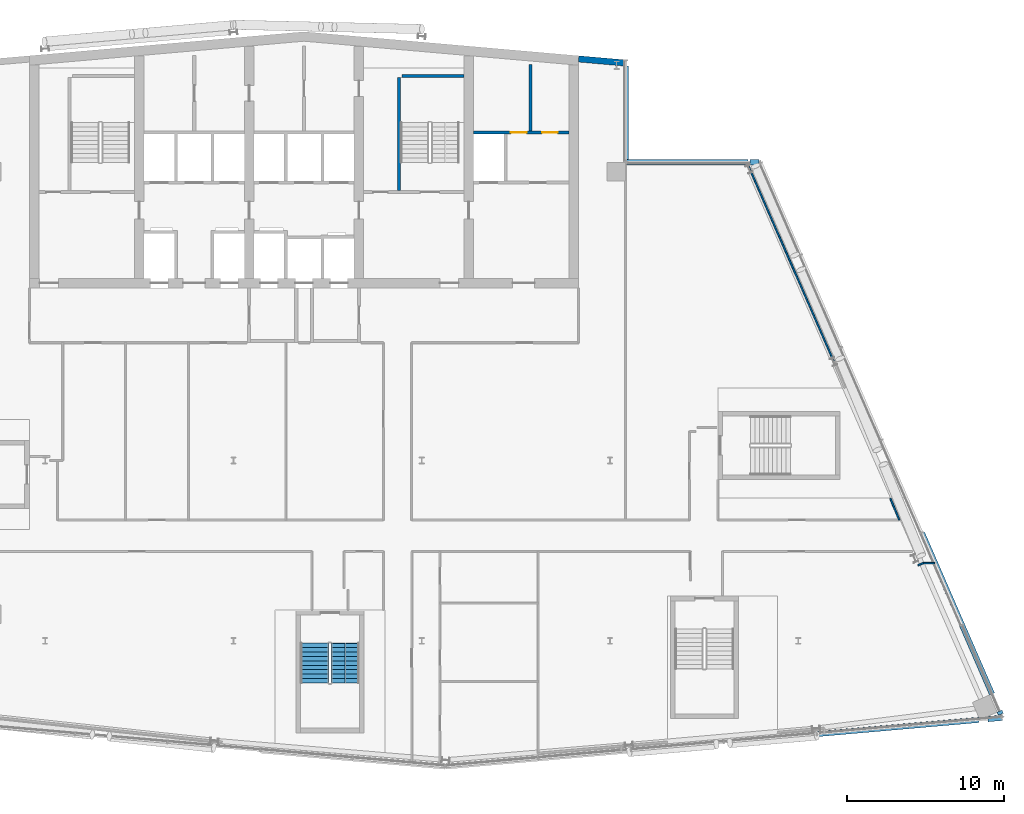
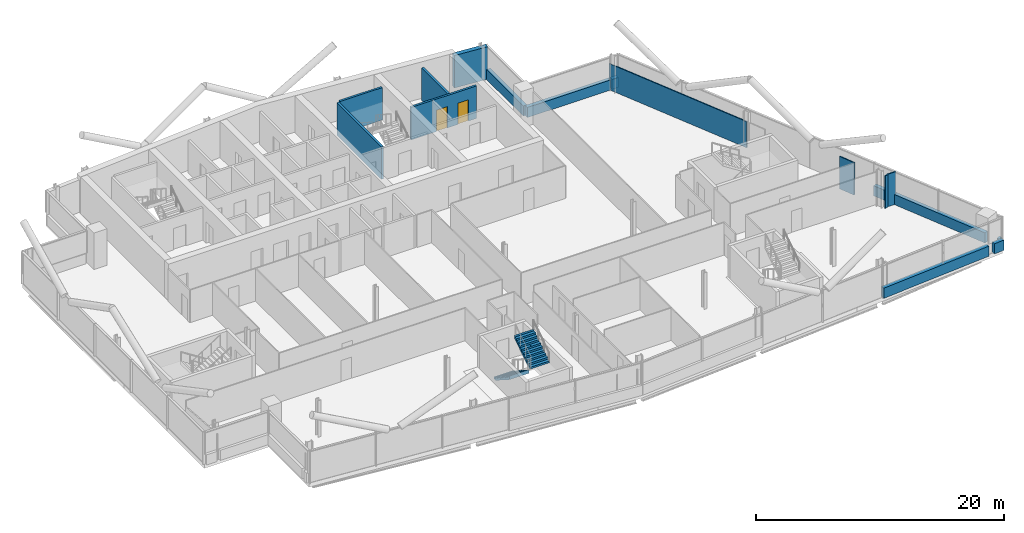
# One storey, part 18 of 26: 16 walls, 2 doors, 2 stair flights, 2 openings, 1 element without a shape of its own.
"""IFC4 building model written with IfcOpenShell, lengths in metres."""

from ifc_helpers import new_model, si_unit, direction, frame, frame_2d, origin, place, context, subcontext, project, spatial, polyline, rectangle, outline, extrude, material, layer, layer_set, type_object, element, fill, aggregate, save


model = new_model("IFC4")

# Units and contexts
model_context = context("Model", 3, precision=1e-05, world=origin(), true_north=direction((0.0, 1.0)))
body_context = subcontext(model_context, "Body", "Model", "MODEL_VIEW")
ifc_project = project(units=[si_unit("LENGTHUNIT", "METRE"), si_unit("AREAUNIT", "SQUARE_METRE"), si_unit("VOLUMEUNIT", "CUBIC_METRE"), si_unit("PLANEANGLEUNIT", "RADIAN"), si_unit("MASSUNIT", "GRAM", prefix="KILO")], contexts=[model_context])

# Site, building, storey
site_placement = place(None, origin())
site = spatial("IfcSite", under=ifc_project, at=site_placement, CompositionType="ELEMENT")
building_placement = place(site_placement, origin())
building = spatial("IfcBuilding", under=site, at=building_placement, Name="Wharfspan Tower", CompositionType="ELEMENT")
storey_placement = place(building_placement, frame((0.0, 0.0, 214.300049)))
storey = spatial("IfcBuildingStorey", under=building, at=storey_placement, Name="L53", CompositionType="ELEMENT", Elevation=214.300049)

# Walls
ifc_material_1 = material(Name="Gypsum board on steel studs", Category="steel")
ifc_layer_1 = layer(ifc_material_1, 0.100098)
ifc_layer_set_1 = layer_set([ifc_layer_1], Name="Gypsum board on steel studs")
wall_type_1 = type_object("IfcWallType", Name="Compartment wall 100 EI 60", PredefinedType="PARTITIONING", material=ifc_layer_set_1)
wall_1_placement = place(storey_placement, frame((78.439941, 19.199951, 0.0), z_axis=(0.0, 0.0, 1.0), x_axis=(-0.382605, 0.923907, 0.0)))
element("IfcWall", 1, at=wall_1_placement, inside=storey, type_object=wall_type_1, Name="Partition L53.w049", PredefinedType="PARTITIONING", context=body_context, shape_type="SweptSolid", body=[
    extrude(rectangle(XDim=1.493896, YDim=0.100098, at=frame_2d((0.74707, 0.0))), origin(), (0.0, 0.0, 1.0), 3.199951),
])
ifc_material_2 = material(Name="Calcium silicate masonry", Category="masonry")
ifc_layer_2 = layer(ifc_material_2, 0.199951)
ifc_layer_set_2 = layer_set([ifc_layer_2], Name="Calcium silicate masonry")
wall_type_2 = type_object("IfcWallType", Name="Core room wall 200", PredefinedType="PARTITIONING", material=ifc_layer_set_2)
wall_2_placement = place(storey_placement, frame((54.93335, 44.0, 0.0), z_axis=(0.0, 0.0, 1.0), x_axis=(0.0, 1.0, 0.0)))
element("IfcWall", 2, at=wall_2_placement, inside=storey, type_object=wall_type_2, Name="sw:L53:RP6.1", PredefinedType="PARTITIONING", context=body_context, shape_type="SweptSolid", body=[
    extrude(rectangle(XDim=4.217529, YDim=0.199951, at=frame_2d((2.108887, 0.0))), origin(), (0.0, 0.0, 1.0), 3.199951),
])

# Wall, openings, doors
ifc_material_3 = material(Name="Concrete C30/37", Category="concrete")
ifc_layer_3 = layer(ifc_material_3, 0.199951)
ifc_layer_set_3 = layer_set([ifc_layer_3], Name="Concrete C30/37")
wall_type_3 = type_object("IfcWallType", Name="Lift shaft wall 200", PredefinedType="PARTITIONING", material=ifc_layer_set_3)
wall_3_placement = place(storey_placement, frame((51.300049, 43.899902, 0.0), z_axis=(0.0, 0.0, 1.0), x_axis=(1.0, 0.0, 0.0)))
wall_3 = element("IfcWall", 3, at=wall_3_placement, inside=storey, type_object=wall_type_3, Name="sw:L53:RR6", PredefinedType="PARTITIONING", context=body_context, shape_type="SweptSolid", body=[
    extrude(rectangle(XDim=6.099854, YDim=0.199951, at=frame_2d((3.049805, 0.0))), origin(), (0.0, 0.0, 1.0), 3.199951),
])
opening_1_placement = place(wall_3_placement, frame((2.383301, 0.0, 0.0)))
opening_1 = element("IfcOpeningElement", 4, at=opening_1_placement, cuts=wall_3, Name="Opening CD53.6S2", PredefinedType="OPENING", context=body_context, shape_type="SweptSolid", body=[
    extrude(rectangle(XDim=1.0, YDim=2.100098, at=frame_2d((0.5, 1.050049))), frame((0.0, 0.109863, 0.0), z_axis=(0.0, -1.0, 0.0), x_axis=(1.0, 0.0, 0.0)), (0.0, 0.0, 1.0), 0.219971),
])
opening_2_placement = place(wall_3_placement, frame((4.366699, 0.0, 0.0)))
opening_2 = element("IfcOpeningElement", 5, at=opening_2_placement, cuts=wall_3, Name="Opening CD53.6S2a", PredefinedType="OPENING", context=body_context, shape_type="SweptSolid", body=[
    extrude(rectangle(XDim=1.0, YDim=2.100098, at=frame_2d((0.5, 1.050049))), frame((0.0, 0.109863, 0.0), z_axis=(0.0, -1.0, 0.0), x_axis=(1.0, 0.0, 0.0)), (0.0, 0.0, 1.0), 0.219971),
])
ifc_material_4 = material(Name="Steel door leaf", Category="steel")
door_type = type_object("IfcDoorType", Name="Core room door 1000x2100", OperationType="SINGLE_SWING_LEFT", PredefinedType="DOOR", material=ifc_material_4)
door_1_placement = place(opening_1_placement, origin())
door_1 = element("IfcDoor", 6, at=door_1_placement, inside=storey, type_object=door_type, Name="d:L53:6:rs6.2", OperationType="SINGLE_SWING_LEFT", OverallHeight=2.100098, OverallWidth=1.0, PredefinedType="DOOR", context=body_context, shape_type="SweptSolid", body=[
    extrude(rectangle(XDim=1.0, YDim=2.100098, at=frame_2d((0.5, 1.050049))), frame((0.0, 0.024902, 0.0), z_axis=(0.0, -1.0, 0.0), x_axis=(1.0, 0.0, 0.0)), (0.0, 0.0, 1.0), 0.050049),
])
fill(opening_1, door_1)
door_2_placement = place(opening_2_placement, origin())
door_2 = element("IfcDoor", 7, at=door_2_placement, inside=storey, type_object=door_type, Name="d:L53:6:rs6.2a", OperationType="SINGLE_SWING_LEFT", OverallHeight=2.100098, OverallWidth=1.0, PredefinedType="DOOR", context=body_context, shape_type="SweptSolid", body=[
    extrude(rectangle(XDim=1.0, YDim=2.100098, at=frame_2d((0.5, 1.050049))), frame((0.0, 0.024902, 0.0), z_axis=(0.0, -1.0, 0.0), x_axis=(1.0, 0.0, 0.0)), (0.0, 0.0, 1.0), 0.050049),
])
fill(opening_2, door_2)

# Walls
ifc_layer_4 = layer(ifc_material_1, 0.100098)
ifc_layer_set_4 = layer_set([ifc_layer_4], Name="Gypsum board on steel studs")
wall_type_4 = type_object("IfcWallType", Name="Partition 100", PredefinedType="PARTITIONING", material=ifc_layer_set_4)
wall_4_placement = place(storey_placement, frame((74.264893, 29.310059, 0.0), z_axis=(0.0, 0.0, 1.0), x_axis=(-0.400401, 0.916335, 0.0)))
element("IfcWall", 8, at=wall_4_placement, inside=storey, type_object=wall_type_4, Name="Partition L53.w047", PredefinedType="PARTITIONING", context=body_context, shape_type="SweptSolid", body=[
    extrude(rectangle(XDim=13.794678, YDim=0.100098, at=frame_2d((6.897461, 0.0))), origin(), (0.0, 0.0, 1.0), 2.579834),
])
wall_5_placement = place(storey_placement, frame((79.629883, 16.314941, 0.0), z_axis=(0.0, 0.0, 1.0), x_axis=(0.92262, 0.385713, 0.0)))
element("IfcWall", 9, at=wall_5_placement, inside=storey, type_object=wall_type_4, Name="Partition L53.w050", PredefinedType="PARTITIONING", context=body_context, shape_type="SweptSolid", body=[
    extrude(rectangle(XDim=0.363281, YDim=0.100098, at=frame_2d((0.181641, 0.0))), origin(), (0.0, 0.0, 1.0), 3.199951),
])
wall_6_placement = place(storey_placement, frame((79.975098, 16.455078, 0.0), z_axis=(0.0, 0.0, 1.0), x_axis=(1.0, 0.0, 0.0)))
element("IfcWall", 10, at=wall_6_placement, inside=storey, type_object=wall_type_4, Name="Partition L53.w051", PredefinedType="PARTITIONING", context=body_context, shape_type="SweptSolid", body=[
    extrude(rectangle(XDim=0.718262, YDim=0.100098, at=frame_2d((0.359131, 0.0))), origin(), (0.0, 0.0, 1.0), 3.199951),
])
ifc_material_5 = material(Name="Concrete C40/50", Category="concrete")
ifc_layer_5 = layer(ifc_material_5, 0.350098)
ifc_layer_set_5 = layer_set([ifc_layer_5], Name="Concrete C40/50")
wall_type_5 = type_object("IfcWallType", Name="SPANDREL EXPOSED CONCRETE 350", PredefinedType="SOLIDWALL", material=ifc_layer_set_5)
wall_7_placement = place(storey_placement, frame((73.197021, 5.562256, 0.0), z_axis=(0.0, 0.0, 1.0), x_axis=(0.996198, 0.087163, 0.0)))
element("IfcWall", 11, at=wall_7_placement, inside=storey, type_object=wall_type_5, Name="Spandrel upstand L53 S2 2", PredefinedType="SOLIDWALL", context=body_context, shape_type="SweptSolid", body=[
    extrude(rectangle(XDim=10.35791, YDim=0.350098, at=frame_2d((5.178955, 0.0))), origin(), (0.0, 0.0, 1.0), 1.0),
])
wall_8_placement = place(storey_placement, frame((84.077637, 6.514404, 0.0), z_axis=(0.0, 0.0, 1.0), x_axis=(0.996213, 0.086971, 0.0)))
element("IfcWall", 12, at=wall_8_placement, inside=storey, type_object=wall_type_5, Name="Spandrel upstand L53 S2 3", PredefinedType="SOLIDWALL", context=body_context, shape_type="SweptSolid", body=[
    extrude(rectangle(XDim=0.92627, YDim=0.350098, at=frame_2d((0.463135, 0.0))), origin(), (0.0, 0.0, 1.0), 1.0),
])
wall_9_placement = place(storey_placement, frame((84.9104, 6.818604, 0.0), z_axis=(0.0, 0.0, 1.0), x_axis=(-0.398359, 0.91723, 0.0)))
element("IfcWall", 13, at=wall_9_placement, inside=storey, type_object=wall_type_5, Name="Spandrel upstand L53 E", PredefinedType="SOLIDWALL", context=body_context, shape_type="SweptSolid", body=[
    extrude(rectangle(XDim=0.21875, YDim=0.350098, at=frame_2d((0.109375, 0.0))), origin(), (0.0, 0.0, 1.0), 1.0),
])
wall_10_placement = place(storey_placement, frame((84.344727, 8.119873, 0.0), z_axis=(0.0, 0.0, 1.0), x_axis=(-0.398721, 0.917067, 0.0)))
element("IfcWall", 14, at=wall_10_placement, inside=storey, type_object=wall_type_5, Name="Spandrel upstand L53 E 2", PredefinedType="SOLIDWALL", context=body_context, shape_type="SweptSolid", body=[
    extrude(rectangle(XDim=11.181885, YDim=0.350098, at=frame_2d((5.59082, 0.0))), origin(), (0.0, 0.0, 1.0), 1.0),
])
wall_11_placement = place(storey_placement, frame((69.498535, 42.004883, 0.0), z_axis=(0.0, 0.0, 1.0), x_axis=(-1.0, 0.0, 0.0)))
element("IfcWall", 15, at=wall_11_placement, inside=storey, type_object=wall_type_5, Name="Spandrel upstand L53 NRE-H", PredefinedType="SOLIDWALL", context=body_context, shape_type="SweptSolid", body=[
    extrude(rectangle(XDim=0.57666, YDim=0.350098, at=frame_2d((0.28833, 0.0))), origin(), (0.0, 0.0, 1.0), 1.0),
])
wall_12_placement = place(storey_placement, frame((68.803467, 42.004883, 0.0), z_axis=(0.0, 0.0, 1.0), x_axis=(-1.0, 0.0, 0.0)))
element("IfcWall", 16, at=wall_12_placement, inside=storey, type_object=wall_type_5, Name="Spandrel upstand L53 NRE-H 2", PredefinedType="SOLIDWALL", context=body_context, shape_type="SweptSolid", body=[
    extrude(rectangle(XDim=7.803467, YDim=0.350098, at=frame_2d((3.901855, 0.0))), origin(), (0.0, 0.0, 1.0), 1.0),
])
wall_13_placement = place(storey_placement, frame((61.004883, 42.179932, 0.0), z_axis=(0.0, 0.0, 1.0), x_axis=(0.0, 1.0, 0.0)))
element("IfcWall", 17, at=wall_13_placement, inside=storey, type_object=wall_type_5, Name="Spandrel upstand L53 NRE-V", PredefinedType="SOLIDWALL", context=body_context, shape_type="SweptSolid", body=[
    extrude(rectangle(XDim=5.946533, YDim=0.350098, at=frame_2d((2.973145, 0.0))), origin(), (0.0, 0.0, 1.0), 1.0),
])
ifc_layer_6 = layer(ifc_material_5, 0.199951)
ifc_layer_set_6 = layer_set([ifc_layer_6], Name="Concrete C40/50")
wall_type_6 = type_object("IfcWallType", Name="Stair shaft wall 200", PredefinedType="SHEAR", material=ifc_layer_set_6)
wall_14_placement = place(storey_placement, frame((46.550049, 40.199951, 0.0), z_axis=(0.0, 0.0, 1.0), x_axis=(0.0, 1.0, 0.0)))
element("IfcWall", 18, at=wall_14_placement, inside=storey, type_object=wall_type_6, Name="ST2 stair enclosure wall L53", PredefinedType="SHEAR", context=body_context, shape_type="SweptSolid", body=[
    extrude(rectangle(XDim=7.199951, YDim=0.199951, at=frame_2d((3.600098, 0.0))), origin(), (0.0, 0.0, 1.0), 3.199951),
])
wall_15_placement = place(storey_placement, frame((46.75, 47.5, 0.0), z_axis=(0.0, 0.0, 1.0), x_axis=(1.0, 0.0, 0.0)))
element("IfcWall", 19, at=wall_15_placement, inside=storey, type_object=wall_type_6, Name="ST2 stair enclosure wall L53", PredefinedType="SHEAR", context=body_context, shape_type="SweptSolid", body=[
    extrude(rectangle(XDim=3.949951, YDim=0.199951, at=frame_2d((1.975098, 0.0))), origin(), (0.0, 0.0, 1.0), 3.199951),
])
ifc_layer_7 = layer(ifc_material_5, 0.399902)
ifc_layer_set_7 = layer_set([ifc_layer_7], Name="Concrete C40/50")
wall_type_7 = type_object("IfcWallType", Name="WALL EXPOSED CONCRETE 400", PredefinedType="SOLIDWALL", material=ifc_layer_set_7)
wall_16_placement = place(storey_placement, frame((60.982666, 48.325684, 0.0), z_axis=(0.0, 0.0, 1.0), x_axis=(-0.996194, 0.087168, 0.0)))
element("IfcWall", 20, at=wall_16_placement, inside=storey, type_object=wall_type_7, Name="Rear wall N2", PredefinedType="SOLIDWALL", context=body_context, shape_type="SweptSolid", body=[
    extrude(rectangle(XDim=2.994141, YDim=0.399902, at=frame_2d((1.49707, 0.0))), origin(), (0.0, 0.0, 1.0), 3.199951),
])

# Stair, stair flights
stair_type = type_object("IfcStairType", Name="Half-turn stair 20 risers 180 mm", PredefinedType="HALF_TURN_STAIR", material=ifc_material_5)
stair_placement = place(storey_placement, origin())
stair = element("IfcStair", 21, at=stair_placement, inside=storey, type_object=stair_type, Name="L53 stair ST4", PredefinedType="HALF_TURN_STAIR")
stair_flight_type = type_object("IfcStairFlightType", Name="Stair flight 20 risers 180 mm", PredefinedType="STRAIGHT", material=ifc_material_5)
stair_flight_1_placement = place(storey_placement, frame((41.177002, 11.343262, 0.0), z_axis=(0.0, 0.0, 1.0), x_axis=(0.0, -1.0, 0.0)))
stair_flight_1 = element("IfcStairFlight", 22, at=stair_flight_1_placement, type_object=stair_flight_type, Name="ST4 flight 1", NumberOfRisers=10, NumberOfTreads=9, PredefinedType="STRAIGHT", RiserHeight=0.18, TreadLength=0.28, context=body_context, shape_type="SweptSolid", body=[
    extrude(outline(polyline([(-0.011963, 0.0), (-0.011963, 0.179932), (0.0, 0.179932), (0.280029, 0.179932), (0.280029, 0.360107), (0.560059, 0.360107), (0.560059, 0.540039), (0.840088, 0.540039), (0.840088, 0.719971), (1.120117, 0.719971), (1.120117, 0.899902), (1.399902, 0.899902), (1.399902, 1.080078), (1.679932, 1.080078), (1.679932, 1.26001), (1.959961, 1.26001), (1.959961, 1.439941), (2.23999, 1.439941), (2.23999, 1.620117), (2.52002, 1.620117), (2.531982, 1.800049), (2.531982, 1.441895), (0.2771, 0.0), (-0.011963, 0.0)])), frame((0.0, 0.899902, 0.0), z_axis=(0.0, -1.0, 0.0), x_axis=(1.0, 0.0, 0.0)), (0.0, 0.0, 1.0), 0.899414),
    extrude(outline(polyline([(-0.011963, 0.0), (-0.011963, 0.179932), (0.0, 0.179932), (0.280029, 0.179932), (0.280029, 0.360107), (0.560059, 0.360107), (0.560059, 0.540039), (0.840088, 0.540039), (0.840088, 0.719971), (1.120117, 0.719971), (1.120117, 0.899902), (1.399902, 0.899902), (1.399902, 1.080078), (1.679932, 1.080078), (1.679932, 1.26001), (1.959961, 1.26001), (1.959961, 1.439941), (2.23999, 1.439941), (2.23999, 1.620117), (2.52002, 1.620117), (2.531982, 1.800049), (2.531982, 1.441895), (0.2771, 0.0), (-0.011963, 0.0)])), frame((0.0, -0.000488, 0.0), z_axis=(0.0, -1.0, 0.0), x_axis=(1.0, 0.0, 0.0)), (0.0, 0.0, 1.0), 0.899414),
])
stair_flight_2_placement = place(storey_placement, frame((43.127197, 8.823242, 1.800049), z_axis=(0.0, 0.0, 1.0), x_axis=(0.0, 1.0, 0.0)))
stair_flight_2 = element("IfcStairFlight", 23, at=stair_flight_2_placement, type_object=stair_flight_type, Name="ST4 flight 2", NumberOfRisers=10, NumberOfTreads=9, PredefinedType="STRAIGHT", RiserHeight=0.18, TreadLength=0.28, context=body_context, shape_type="SweptSolid", body=[
    extrude(outline(polyline([(-0.011963, 0.0), (-0.011963, 0.179932), (0.0, 0.179932), (0.280029, 0.179932), (0.280029, 0.360107), (0.560059, 0.360107), (0.560059, 0.540039), (0.840088, 0.540039), (0.840088, 0.719971), (1.120117, 0.719971), (1.120117, 0.899902), (1.399902, 0.899902), (1.399902, 1.080078), (1.679932, 1.080078), (1.679932, 1.26001), (1.959961, 1.26001), (1.959961, 1.439941), (2.23999, 1.439941), (2.23999, 1.620117), (2.52002, 1.620117), (2.531982, 1.800049), (2.531982, 1.441895), (0.2771, 0.0), (-0.011963, 0.0)])), frame((0.0, 0.899902, 0.0), z_axis=(0.0, -1.0, 0.0), x_axis=(1.0, 0.0, 0.0)), (0.0, 0.0, 1.0), 0.899414),
    extrude(outline(polyline([(-0.011963, 0.0), (-0.011963, 0.179932), (0.0, 0.179932), (0.280029, 0.179932), (0.280029, 0.360107), (0.560059, 0.360107), (0.560059, 0.540039), (0.840088, 0.540039), (0.840088, 0.719971), (1.120117, 0.719971), (1.120117, 0.899902), (1.399902, 0.899902), (1.399902, 1.080078), (1.679932, 1.080078), (1.679932, 1.26001), (1.959961, 1.26001), (1.959961, 1.439941), (2.23999, 1.439941), (2.23999, 1.620117), (2.52002, 1.620117), (2.531982, 1.800049), (2.531982, 1.441895), (0.2771, 0.0), (-0.011963, 0.0)])), frame((0.0, -0.000488, 0.0), z_axis=(0.0, -1.0, 0.0), x_axis=(1.0, 0.0, 0.0)), (0.0, 0.0, 1.0), 0.899414),
])
aggregate(stair, [stair_flight_1, stair_flight_2])

save(model, "model.ifc")
